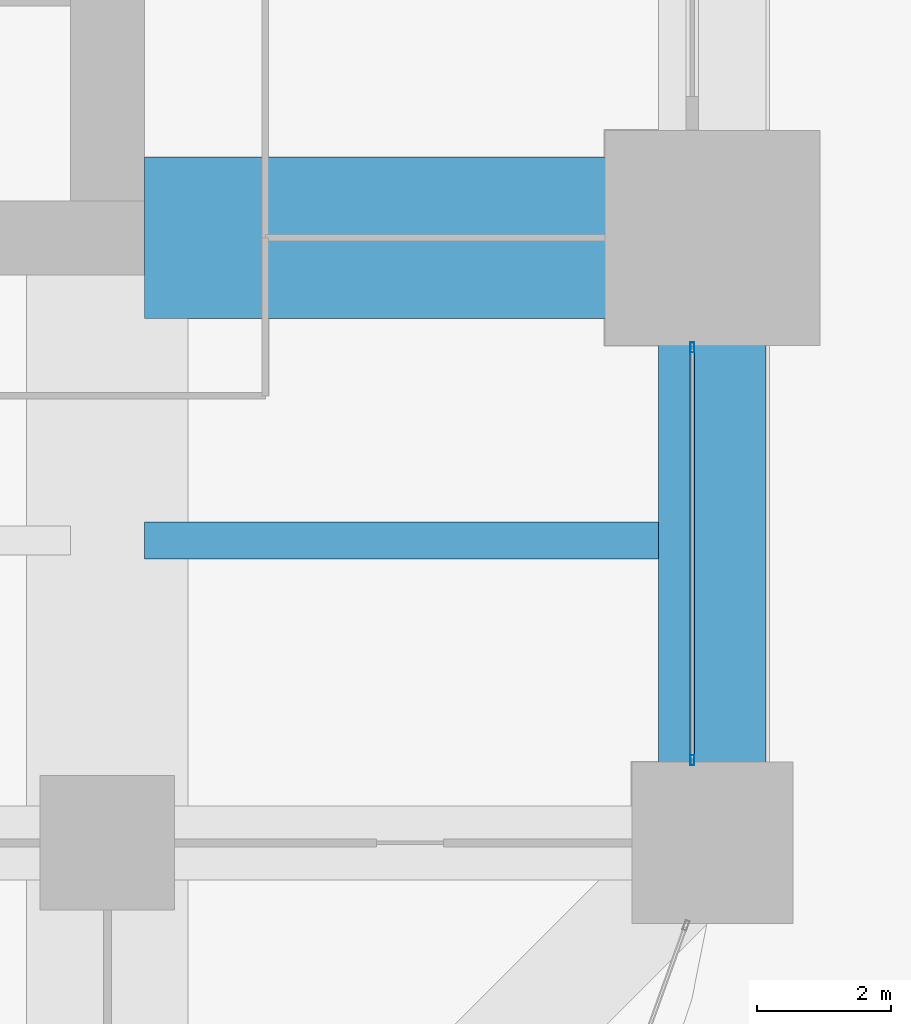
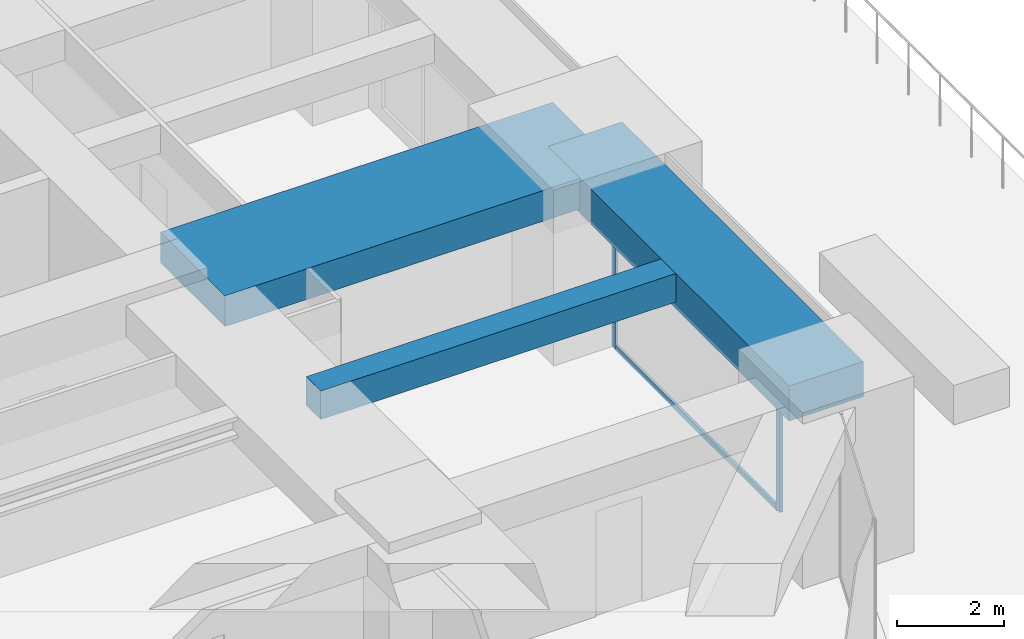
# One storey, part 18 of 35: 3 beams, 3 members, 1 element without a shape of its own.
"""IFC4 building model written with IfcOpenShell, lengths in metres."""

from ifc_helpers import new_model, si_unit, direction, frame, origin, origin_2d, place, context, subcontext, project, spatial, rectangle, hollow_rectangle, extrude, material, material_profile, profile_set, type_object, element, aggregate, save


model = new_model("IFC4")

# Units and contexts
model_context = context("Model", 3, precision=1e-05, world=origin(), true_north=direction((0.0, 1.0)))
body_context = subcontext(model_context, "Body", "Model", "MODEL_VIEW")
ifc_project = project(units=[si_unit("LENGTHUNIT", "METRE"), si_unit("AREAUNIT", "SQUARE_METRE"), si_unit("VOLUMEUNIT", "CUBIC_METRE"), si_unit("PLANEANGLEUNIT", "RADIAN"), si_unit("MASSUNIT", "GRAM", prefix="KILO")], contexts=[model_context])

# Site, building, storey
site_placement = place(None, origin())
site = spatial("IfcSite", under=ifc_project, at=site_placement, CompositionType="ELEMENT")
building_placement = place(site_placement, origin())
building = spatial("IfcBuilding", under=site, at=building_placement, Name="Zorevar Civic Tower", CompositionType="ELEMENT")
storey_placement = place(building_placement, frame((0.0, 0.0, 162.199951171875)))
storey = spatial("IfcBuildingStorey", under=building, at=storey_placement, Name="L39", CompositionType="ELEMENT", Elevation=162.199951171875)

# Beams
ifc_material_1 = material(Name="Concrete C50/60", Category="concrete")
ifc_material_profile_1 = material_profile(ifc_material_1, rectangle(XDim=2.39990234375, YDim=0.699951171875, at=origin_2d()), Name="RC 2400x700")
ifc_profile_set_1 = profile_set([ifc_material_profile_1], Name="Concrete C50/60")
beam_type_1 = type_object("IfcBeamType", Name="Beam RC 2400x700", PredefinedType="BEAM", material=ifc_profile_set_1)
beam_1_placement = place(storey_placement, frame((45.550048828125, 18.0, 3.400146484375), z_axis=(1.0, 0.0, 0.0), x_axis=(0.0, 1.0, 0.0)))
element("IfcBeam", 1, at=beam_1_placement, inside=storey, type_object=beam_type_1, Name="Girder L40", PredefinedType="BEAM", context=body_context, shape_type="SweptSolid", body=[
    extrude(rectangle(XDim=2.39990234375, YDim=0.699951171875, at=origin_2d()), origin(), (0.0, 0.0, 1.0), 8.449951171875),
])
ifc_material_2 = material(Name="Concrete C50/60", Category="concrete")
ifc_material_profile_2 = material_profile(ifc_material_2, rectangle(XDim=0.550048828125, YDim=0.64990234375, at=origin_2d()), Name="RC 550x650")
ifc_profile_set_2 = profile_set([ifc_material_profile_2], Name="Concrete C50/60")
beam_type_2 = type_object("IfcBeamType", Name="Beam RC 550x650", PredefinedType="BEAM", material=ifc_profile_set_2)
beam_2_placement = place(storey_placement, frame((45.550048828125, 13.5, 3.425048828125), z_axis=(1.0, 0.0, 0.0), x_axis=(0.0, 1.0, 0.0)))
element("IfcBeam", 2, at=beam_2_placement, inside=storey, type_object=beam_type_2, Name="Secondary beam L40", PredefinedType="BEAM", context=body_context, shape_type="SweptSolid", body=[
    extrude(rectangle(XDim=0.550048828125, YDim=0.64990234375, at=origin_2d()), origin(), (0.0, 0.0, 1.0), 7.64990234375),
])

# Curtain wall, members
ifc_material_3 = material(Name="Dark grey solar-control glass in black aluminium frame", Category="aluminium")
curtain_wall_type = type_object("IfcCurtainWallType", Name="Curtain wall CW4 high zone", PredefinedType="NOTDEFINED", material=ifc_material_3)
curtain_wall_placement = place(storey_placement, origin())
curtain_wall = element("IfcCurtainWall", 3, at=curtain_wall_placement, inside=storey, type_object=curtain_wall_type, Name="CW4 L39", PredefinedType="NOTDEFINED")
ifc_material_4 = material(Name="Aluminium, black anodised", Category="aluminium")
ifc_material_profile_3 = material_profile(ifc_material_4, hollow_rectangle(XDim=0.06005859375, YDim=0.14990234375, WallThickness=0.00390625, at=origin_2d()), Name="AL 150x60x4")
ifc_profile_set_3 = profile_set([ifc_material_profile_3], Name="Aluminium, black anodised")
member_type_1 = type_object("IfcMemberType", Name="CW4 mullion AL 150x60x4", PredefinedType="MULLION", material=ifc_profile_set_3)
member_1_placement = place(storey_placement, frame((53.699951171875, 10.22998046875, 0.0), z_axis=(0.0, 0.0, 1.0), x_axis=(-1.0, 0.0, 0.0)))
member_1 = element("IfcMember", 4, at=member_1_placement, type_object=member_type_1, Name="CW4 mullion 1", PredefinedType="MULLION", context=body_context, shape_type="SweptSolid", body=[
    extrude(hollow_rectangle(XDim=0.06005859375, YDim=0.14990234375, WallThickness=0.00390625, at=origin_2d()), origin(), (0.0, 0.0, 1.0), 2.949951171875),
])
member_2_placement = place(storey_placement, frame((53.699951171875, 16.3701171875, 0.0), z_axis=(0.0, 0.0, 1.0), x_axis=(-1.0, 0.0, 0.0)))
member_2 = element("IfcMember", 5, at=member_2_placement, type_object=member_type_1, Name="CW4 mullion 2", PredefinedType="MULLION", context=body_context, shape_type="SweptSolid", body=[
    extrude(hollow_rectangle(XDim=0.06005859375, YDim=0.14990234375, WallThickness=0.00390625, at=origin_2d()), origin(), (0.0, 0.0, 1.0), 2.949951171875),
])
ifc_material_5 = material(Name="Aluminium, black anodised", Category="aluminium")
ifc_material_profile_4 = material_profile(ifc_material_5, hollow_rectangle(XDim=0.06005859375, YDim=0.1201171875, WallThickness=0.0029296875, at=origin_2d()), Name="AL 120x60x3")
ifc_profile_set_4 = profile_set([ifc_material_profile_4], Name="Aluminium, black anodised")
member_type_2 = type_object("IfcMemberType", Name="CW4 transom AL 120x60x3", PredefinedType="USERDEFINED", material=ifc_profile_set_4)
member_3_placement = place(storey_placement, frame((53.699951171875, 10.260009765625, 0.030029296875), z_axis=(0.0, 1.0, 0.0), x_axis=(-1.0, 0.0, 0.0)))
member_3 = element("IfcMember", 6, at=member_3_placement, type_object=member_type_2, Name="CW4 sill transom", ObjectType="TRANSOM", PredefinedType="USERDEFINED", context=body_context, shape_type="SweptSolid", body=[
    extrude(hollow_rectangle(XDim=0.06005859375, YDim=0.1201171875, WallThickness=0.0029296875, at=origin_2d()), origin(), (0.0, 0.0, 1.0), 6.080078125),
])
aggregate(curtain_wall, [member_1, member_2, member_3])

# Beam
ifc_material_6 = material(Name="Concrete C50/60", Category="concrete")
ifc_material_profile_5 = material_profile(ifc_material_6, rectangle(XDim=1.60009765625, YDim=0.800048828125, at=origin_2d()), Name="RC 1600x800")
ifc_profile_set_5 = profile_set([ifc_material_profile_5], Name="Concrete C50/60")
beam_type_3 = type_object("IfcBeamType", Name="Edge beam RC 1600x800", PredefinedType="SPANDREL", material=ifc_profile_set_5)
beam_3_placement = place(storey_placement, frame((54.0, 9.0, 3.35009765625), z_axis=(0.0, 1.0, 0.0), x_axis=(-1.0, 0.0, 0.0)))
element("IfcBeam", 7, at=beam_3_placement, inside=storey, type_object=beam_type_3, Name="Edge beam L40", PredefinedType="SPANDREL", context=body_context, shape_type="SweptSolid", body=[
    extrude(rectangle(XDim=1.60009765625, YDim=0.800048828125, at=origin_2d()), origin(), (0.0, 0.0, 1.0), 9.0),
])

save(model, "model.ifc")
